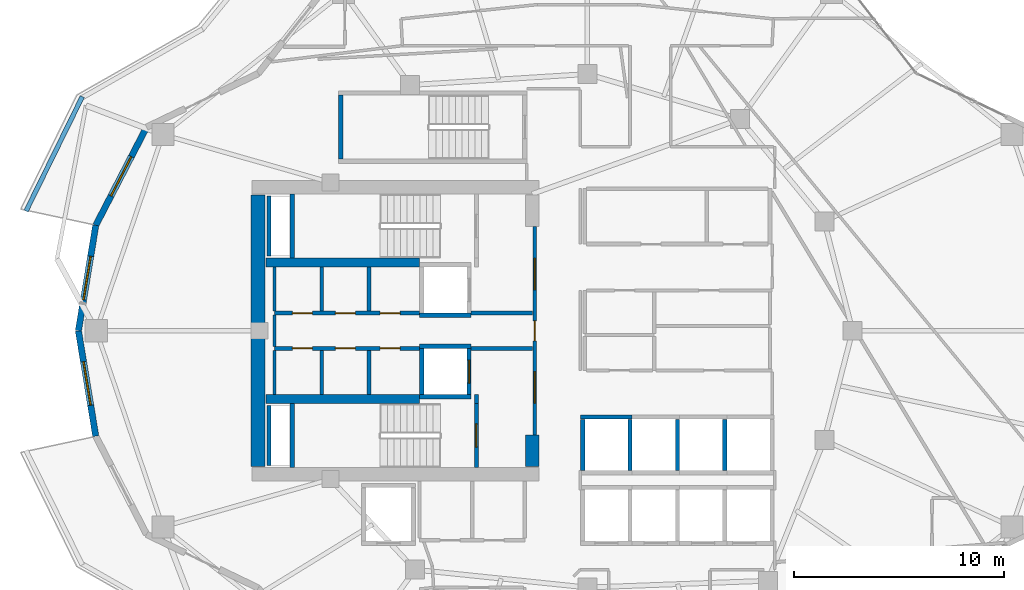
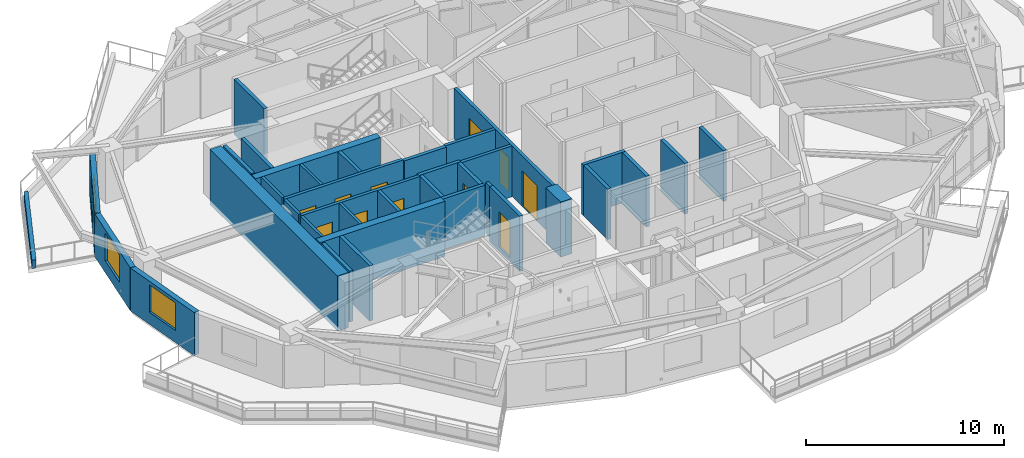
# One storey, part 7 of 18: 37 walls, 11 doors, 3 windows, 14 openings.
"""IFC4 building model written with IfcOpenShell, lengths in metres."""

import ifcopenshell
import ifcopenshell.guid

model = None  # the IFC model being written
_history = None  # IfcOwnerHistory: only IFC2X3 demands one
_inside = {}  # id of a spatial element -> (the spatial element, [elements in it])
_under = {}  # id of a project, library or spatial element -> (it, [spatial elements below it])
_declared = {}  # id of a project -> (the project, [libraries it declares])
_typed = {}  # id of a type object -> (the type object, [elements of that type])
_made_of = {}  # id of a material, layer set ... -> (it, [elements and type objects made of it])


def new_model(schema):
    """Start an empty IFC model of exactly this schema.

    Asked for "IFC4X3", IfcOpenShell would pick the latest addendum, in which some entities
    have other attributes; the version numbers below select the first issue.
    IFC2X3 requires an IfcOwnerHistory on every rooted entity: one is made here for all.
    """
    global model, _history
    if schema == "IFC4X3":
        model = ifcopenshell.file(schema_version=(4, 3, 0, 0))
    else:
        model = ifcopenshell.file(schema=schema)
    _inside.clear()
    _under.clear()
    _declared.clear()
    _typed.clear()
    _made_of.clear()
    _history = None
    if model.schema == "IFC2X3":
        org = make("IfcOrganization", Name="unknown")
        user = make(
            "IfcPersonAndOrganization",
            ThePerson=make("IfcPerson", FamilyName="unknown"),
            TheOrganization=org,
        )
        app = make(
            "IfcApplication",
            ApplicationDeveloper=org,
            Version="unknown",
            ApplicationFullName="unknown",
            ApplicationIdentifier="unknown",
        )
        _history = make(
            "IfcOwnerHistory",
            OwningUser=user,
            OwningApplication=app,
            ChangeAction="ADDED",
            CreationDate=0,
        )
    return model


def make(cls, **values):
    """One entity of the class cls with the attributes given. An attribute that is None is left unset."""
    return model.create_entity(
        cls, **{name: value for name, value in values.items() if value is not None}
    )


def rooted(cls, **values):
    """An entity with a GlobalId (a new one), such as an element, a storey or a relation."""
    return make(cls, GlobalId=ifcopenshell.guid.new(), OwnerHistory=_history, **values)


def si_unit(unit_type, name, prefix=None):
    """IfcSIUnit, for example si_unit("LENGTHUNIT", "METRE", prefix="MILLI")."""
    return make("IfcSIUnit", UnitType=unit_type, Prefix=prefix, Name=name)


def assignment(units):
    """IfcUnitAssignment: the units of a project."""
    return None if units is None else make("IfcUnitAssignment", Units=units)


def point(xyz):
    """IfcCartesianPoint."""
    return None if xyz is None else make("IfcCartesianPoint", Coordinates=xyz)


def direction(xyz):
    """IfcDirection."""
    return None if xyz is None else make("IfcDirection", DirectionRatios=xyz)


def frame(location, z_axis=None, x_axis=None):
    """IfcAxis2Placement3D, a coordinate frame: its origin and axes. An axis left out is left unset."""
    return make(
        "IfcAxis2Placement3D",
        Location=point(location),
        Axis=direction(z_axis),
        RefDirection=direction(x_axis),
    )


def frame_2d(location, x_axis=None):
    """IfcAxis2Placement2D, a coordinate frame in the plane: its origin and x axis."""
    return make(
        "IfcAxis2Placement2D", Location=point(location), RefDirection=direction(x_axis)
    )


def origin():
    """The frame at (0, 0, 0) with its axes left unset."""
    return frame((0.0, 0.0, 0.0))


def place(relative_to, where):
    """IfcLocalPlacement: puts the frame where relative to a parent placement (None: the world)."""
    return make(
        "IfcLocalPlacement", PlacementRelTo=relative_to, RelativePlacement=where
    )


def context(
    kind, dimensions, precision=None, world=None, true_north=None, identifier=None
):
    """IfcGeometricRepresentationContext, for example the 3D "Model" context."""
    return make(
        "IfcGeometricRepresentationContext",
        ContextIdentifier=identifier,
        ContextType=kind,
        CoordinateSpaceDimension=dimensions,
        Precision=precision,
        WorldCoordinateSystem=world,
        TrueNorth=true_north,
    )


def subcontext(parent, identifier, kind, view, scale=None):
    """IfcGeometricRepresentationSubContext, for example "Body" below "Model"."""
    return make(
        "IfcGeometricRepresentationSubContext",
        ContextIdentifier=identifier,
        ContextType=kind,
        ParentContext=parent,
        TargetScale=scale,
        TargetView=view,
    )


def project(units=None, contexts=None):
    """IfcProject with its units and contexts."""
    return rooted(
        "IfcProject",
        Name="project",
        RepresentationContexts=contexts,
        UnitsInContext=assignment(units),
    )


def spatial(cls, under=None, at=None, **own):
    """A site, building, storey or space (cls), placed at a placement, below another one or the project."""
    s = rooted(cls, ObjectPlacement=at, **own)
    if under is not None:
        _under.setdefault(under.id(), (under, []))[1].append(s)
    return s


def profile(cls, at=None, kind="AREA", **sizes):
    """A parametric profile (cls). Its sizes go by their IFC names, for example OverallWidth=200.0."""
    return make(cls, ProfileType=kind, Position=at, **sizes)


def rectangle(**sizes):
    """IfcRectangleProfileDef."""
    return profile("IfcRectangleProfileDef", **sizes)


def extrude(swept, where, along, depth):
    """IfcExtrudedAreaSolid: the profile swept, set in the frame where, extruded along a direction by depth."""
    return make(
        "IfcExtrudedAreaSolid",
        SweptArea=swept,
        Position=where,
        ExtrudedDirection=direction(along),
        Depth=depth,
    )


def shape(context_of_items, identifier, shape_type, items):
    """IfcShapeRepresentation: the items that make up one representation, for example the "Body"."""
    return make(
        "IfcShapeRepresentation",
        ContextOfItems=context_of_items,
        RepresentationIdentifier=identifier,
        RepresentationType=shape_type,
        Items=items,
    )


def material(Name=None, Category=None):
    """IfcMaterial."""
    return make("IfcMaterial", Name=Name, Category=Category)


def layer(
    of_material, thickness, ventilated=None, Name=None, Category=None, Priority=None
):
    """IfcMaterialLayer: one layer of a wall or slab, of a material (None: an air gap)."""
    return make(
        "IfcMaterialLayer",
        Material=of_material,
        LayerThickness=thickness,
        IsVentilated=ventilated,
        Name=Name,
        Category=Category,
        Priority=Priority,
    )


def layer_set(layers, Name=None):
    """IfcMaterialLayerSet."""
    return make("IfcMaterialLayerSet", MaterialLayers=layers, LayerSetName=Name)


def made_of(thing, what):
    """Note that an element or type object is made of a material, layer set ...; save() writes the relation."""
    if what is not None:
        _made_of.setdefault(what.id(), (what, []))[1].append(thing)
    return thing


def type_object(cls, material=None, **own):
    """A type object (cls), such as IfcWallType, which elements share."""
    return made_of(rooted(cls, **own), material)


def element(
    cls,
    number,
    at=None,
    inside=None,
    cuts=None,
    type_object=None,
    material=None,
    context=None,
    identifier="Body",
    shape_type=None,
    held_by="IfcProductDefinitionShape",
    body=None,
    shapes=None,
    **own,
):
    """One element of the class cls, such as IfcWall. Its Tag is "e" and its number.

    at: its placement. inside: the storey or other place that contains it. cuts: it is an
    opening in that element (IfcRelVoidsElement). A single representation is given by context,
    identifier, shape_type and body (its items); several are given by shapes. held_by: the class
    of the entity that holds the representations. save() writes the other relations.
    """
    e = rooted(cls, Tag="e%d" % number, ObjectPlacement=at, **own)
    if body is not None:
        shapes = [shape(context, identifier, shape_type, body)]
    if shapes is not None:
        e.Representation = make(held_by, Representations=shapes)
    if inside is not None:
        _inside.setdefault(inside.id(), (inside, []))[1].append(e)
    if cuts is not None:
        rooted(
            "IfcRelVoidsElement", RelatingBuildingElement=cuts, RelatedOpeningElement=e
        )
    if type_object is not None:
        _typed.setdefault(type_object.id(), (type_object, []))[1].append(e)
    return made_of(e, material)


def fill(opening, filler):
    """IfcRelFillsElement: the door or window that sits in an opening."""
    return rooted(
        "IfcRelFillsElement",
        RelatingOpeningElement=opening,
        RelatedBuildingElement=filler,
    )


def aggregate(whole, parts):
    """IfcRelAggregates: a whole, such as a stair, and the parts it consists of."""
    return rooted("IfcRelAggregates", RelatingObject=whole, RelatedObjects=parts)


def save(model, path):
    """Write the relations noted so far, then the file.

    IfcRelAggregates (storeys below a building ...), IfcRelContainedInSpatialStructure (elements
    in a storey), IfcRelDefinesByType, IfcRelAssociatesMaterial and IfcRelDeclares: one each for
    every whole, place, type object, material and project.
    """
    for whole, parts in _under.values():
        aggregate(whole, parts)
    for where, things in _inside.values():
        rooted(
            "IfcRelContainedInSpatialStructure",
            RelatedElements=things,
            RelatingStructure=where,
        )
    for kind, things in _typed.values():
        rooted("IfcRelDefinesByType", RelatedObjects=things, RelatingType=kind)
    for what, things in _made_of.values():
        rooted("IfcRelAssociatesMaterial", RelatedObjects=things, RelatingMaterial=what)
    for by, libraries in _declared.values():
        rooted("IfcRelDeclares", RelatingContext=by, RelatedDefinitions=libraries)
    model.write(path)


model = new_model("IFC4")

# Units and contexts
model_context = context("Model", 3, precision=1e-05, world=origin(), true_north=direction((0.0, 1.0)))
body_context = subcontext(model_context, "Body", "Model", "MODEL_VIEW")
ifc_project = project(units=[si_unit("LENGTHUNIT", "METRE"), si_unit("AREAUNIT", "SQUARE_METRE"), si_unit("VOLUMEUNIT", "CUBIC_METRE"), si_unit("PLANEANGLEUNIT", "RADIAN"), si_unit("MASSUNIT", "GRAM", prefix="KILO")], contexts=[model_context])

# Site, building, storey
site_placement = place(None, origin())
site = spatial("IfcSite", under=ifc_project, at=site_placement, CompositionType="ELEMENT")
building_placement = place(site_placement, origin())
building = spatial("IfcBuilding", under=site, at=building_placement, Name="Kolvaren Gate Tower and Convention Centre", CompositionType="ELEMENT")
storey_placement = place(building_placement, frame((0.0, 0.0, 135.89990234375)))
storey = spatial("IfcBuildingStorey", under=building, at=storey_placement, Name="L34", CompositionType="ELEMENT", Elevation=135.89990234375)

# Wall
ifc_material_1 = material(Name="Autoclaved Aerated Masonry Blockwork Class 4 (4.0 MPa)", Category="masonry")
ifc_layer_1 = layer(ifc_material_1, 0.179931640625)
ifc_layer_set_1 = layer_set([ifc_layer_1], Name="Autoclaved Aerated Masonry Blockwork Class 4 (4.0 MPa)")
wall_type_1 = type_object("IfcWallType", Name="ARCH-WL-COMP-180", PredefinedType="SOLIDWALL", material=ifc_layer_set_1)
wall_1_placement = place(storey_placement, frame((24.85009765625, 23.5400390625, 0.0), z_axis=(0.0, 0.0, 1.0), x_axis=(0.0, 1.0, 0.0)))
element("IfcWall", 1, at=wall_1_placement, inside=storey, type_object=wall_type_1, Name="Interior Partition WL-L34-INT-001", PredefinedType="SOLIDWALL", context=body_context, shape_type="SweptSolid", body=[
    extrude(rectangle(XDim=0.419921875, YDim=0.179931640625, at=frame_2d((0.2099609375, 0.0))), origin(), (0.0, 0.0, 1.0), 3.130126953125),
])

# Wall, openings, doors
wall_2_placement = place(storey_placement, frame((27.6201171875, 22.050048828125, 0.0), z_axis=(0.0, 0.0, 1.0), x_axis=(0.0, 1.0, 0.0)))
wall_2 = element("IfcWall", 2, at=wall_2_placement, inside=storey, type_object=wall_type_1, Name="Interior Partition WL-L34-INT-003", PredefinedType="SOLIDWALL", context=body_context, shape_type="SweptSolid", body=[
    extrude(rectangle(XDim=9.89990234375, YDim=0.179931640625, at=frame_2d((4.949951171875, 0.0))), origin(), (0.0, 0.0, 1.0), 3.130126953125),
])
opening_1_placement = place(wall_2_placement, frame((4.47509765625, 0.0, 0.0)))
opening_1 = element("IfcOpeningElement", 3, at=opening_1_placement, cuts=wall_2, Name="Opening DR-01", PredefinedType="OPENING", context=body_context, shape_type="SweptSolid", body=[
    extrude(rectangle(XDim=0.949951171875, YDim=2.10009765625, at=frame_2d((0.47509765625, 1.050048828125))), frame((0.0, 0.099853515625, 0.0), z_axis=(0.0, -1.0, 0.0), x_axis=(1.0, 0.0, 0.0)), (0.0, 0.0, 1.0), 0.199951171875),
])
opening_2_placement = place(wall_2_placement, frame((6.889892578125, 0.0, 0.0)))
opening_2 = element("IfcOpeningElement", 4, at=opening_2_placement, cuts=wall_2, Name="Opening DL-01", PredefinedType="OPENING", context=body_context, shape_type="SweptSolid", body=[
    extrude(rectangle(XDim=1.5, YDim=2.199951171875, at=frame_2d((0.75, 1.10009765625))), frame((0.0, 0.099853515625, 0.0), z_axis=(0.0, -1.0, 0.0), x_axis=(1.0, 0.0, 0.0)), (0.0, 0.0, 1.0), 0.199951171875),
])
opening_3_placement = place(wall_2_placement, frame((1.510009765625, 0.0, 0.0)))
opening_3 = element("IfcOpeningElement", 5, at=opening_3_placement, cuts=wall_2, Name="Opening DL-01", PredefinedType="OPENING", context=body_context, shape_type="SweptSolid", body=[
    extrude(rectangle(XDim=1.5, YDim=2.199951171875, at=frame_2d((0.75, 1.10009765625))), frame((0.0, 0.099853515625, 0.0), z_axis=(0.0, -1.0, 0.0), x_axis=(1.0, 0.0, 0.0)), (0.0, 0.0, 1.0), 0.199951171875),
])
ifc_material_2 = material(Name="Painted Architectural Steelwork ASTM A500 Grade C 345 MPa", Category="steel")
door_type_1 = type_object("IfcDoorType", Name="ARCH-DR-LOBBY-1500", OperationType="DOUBLE_DOOR_SINGLE_SWING", PredefinedType="DOOR", material=ifc_material_2)
door_1_placement = place(opening_2_placement, origin())
door_1 = element("IfcDoor", 6, at=door_1_placement, inside=storey, type_object=door_type_1, Name="North Firefighting Stair and Lift Lobby Door", OperationType="DOUBLE_DOOR_SINGLE_SWING", OverallHeight=2.199951171875, OverallWidth=1.5, PredefinedType="DOOR", context=body_context, shape_type="SweptSolid", body=[
    extrude(rectangle(XDim=1.5, YDim=2.199951171875, at=frame_2d((0.75, 1.10009765625))), frame((0.0, 0.02490234375, 0.0), z_axis=(0.0, -1.0, 0.0), x_axis=(1.0, 0.0, 0.0)), (0.0, 0.0, 1.0), 0.050048828125),
])
fill(opening_2, door_1)
door_2_placement = place(opening_3_placement, origin())
door_2 = element("IfcDoor", 7, at=door_2_placement, inside=storey, type_object=door_type_1, Name="South Firefighting Stair and Lift Lobby Door", OperationType="DOUBLE_DOOR_SINGLE_SWING", OverallHeight=2.199951171875, OverallWidth=1.5, PredefinedType="DOOR", context=body_context, shape_type="SweptSolid", body=[
    extrude(rectangle(XDim=1.5, YDim=2.199951171875, at=frame_2d((0.75, 1.10009765625))), frame((0.0, 0.02490234375, 0.0), z_axis=(0.0, -1.0, 0.0), x_axis=(1.0, 0.0, 0.0)), (0.0, 0.0, 1.0), 0.050048828125),
])
fill(opening_3, door_2)
door_type_2 = type_object("IfcDoorType", Name="ARCH-DR-RISER-950", OperationType="SINGLE_SWING_RIGHT", PredefinedType="DOOR", material=ifc_material_2)
door_3_placement = place(opening_1_placement, origin())
door_3 = element("IfcDoor", 8, at=door_3_placement, inside=storey, type_object=door_type_2, Name="Central MEP Service Corridor Door", OperationType="SINGLE_SWING_LEFT", OverallHeight=2.10009765625, OverallWidth=0.949951171875, PredefinedType="DOOR", context=body_context, shape_type="SweptSolid", body=[
    extrude(rectangle(XDim=0.949951171875, YDim=2.10009765625, at=frame_2d((0.47509765625, 1.050048828125))), frame((0.0, 0.02490234375, 0.0), z_axis=(0.0, -1.0, 0.0), x_axis=(1.0, 0.0, 0.0)), (0.0, 0.0, 1.0), 0.050048828125),
])
fill(opening_1, door_3)

wall_3_placement = place(storey_placement, frame((15.25, 27.840087890625, 0.0), z_axis=(0.0, 0.0, 1.0), x_axis=(1.0, 0.0, 0.0)))
wall_3 = element("IfcWall", 9, at=wall_3_placement, inside=storey, type_object=wall_type_1, Name="Interior Partition WL-L34-INT-004", PredefinedType="SOLIDWALL", context=body_context, shape_type="SweptSolid", body=[
    extrude(rectangle(XDim=6.89990234375, YDim=0.179931640625, at=frame_2d((3.449951171875, 0.0))), origin(), (0.0, 0.0, 1.0), 3.130126953125),
])
opening_4_placement = place(wall_3_placement, frame((5.02001953125, 0.0, 0.0)))
opening_4 = element("IfcOpeningElement", 10, at=opening_4_placement, cuts=wall_3, Name="Opening DR-01", PredefinedType="OPENING", context=body_context, shape_type="SweptSolid", body=[
    extrude(rectangle(XDim=0.949951171875, YDim=2.10009765625, at=frame_2d((0.47509765625, 1.050048828125))), frame((0.0, 0.099853515625, 0.0), z_axis=(0.0, -1.0, 0.0), x_axis=(1.0, 0.0, 0.0)), (0.0, 0.0, 1.0), 0.199951171875),
])
opening_5_placement = place(wall_3_placement, frame((0.85498046875, 0.0, 0.0)))
opening_5 = element("IfcOpeningElement", 11, at=opening_5_placement, cuts=wall_3, Name="Opening DR-01", PredefinedType="OPENING", context=body_context, shape_type="SweptSolid", body=[
    extrude(rectangle(XDim=0.949951171875, YDim=2.10009765625, at=frame_2d((0.47509765625, 1.050048828125))), frame((0.0, 0.099853515625, 0.0), z_axis=(0.0, -1.0, 0.0), x_axis=(1.0, 0.0, 0.0)), (0.0, 0.0, 1.0), 0.199951171875),
])
opening_6_placement = place(wall_3_placement, frame((2.89990234375, 0.0, 0.0)))
opening_6 = element("IfcOpeningElement", 12, at=opening_6_placement, cuts=wall_3, Name="Opening DR-01", PredefinedType="OPENING", context=body_context, shape_type="SweptSolid", body=[
    extrude(rectangle(XDim=0.949951171875, YDim=2.10009765625, at=frame_2d((0.47509765625, 1.050048828125))), frame((0.0, 0.099853515625, 0.0), z_axis=(0.0, -1.0, 0.0), x_axis=(1.0, 0.0, 0.0)), (0.0, 0.0, 1.0), 0.199951171875),
])
door_4_placement = place(opening_4_placement, origin())
door_4 = element("IfcDoor", 13, at=door_4_placement, inside=storey, type_object=door_type_2, Name="Electrical Switchgear Closet Door", OperationType="SINGLE_SWING_RIGHT", OverallHeight=2.10009765625, OverallWidth=0.949951171875, PredefinedType="DOOR", context=body_context, shape_type="SweptSolid", body=[
    extrude(rectangle(XDim=0.949951171875, YDim=2.10009765625, at=frame_2d((0.47509765625, 1.050048828125))), frame((0.0, 0.02490234375, 0.0), z_axis=(0.0, -1.0, 0.0), x_axis=(1.0, 0.0, 0.0)), (0.0, 0.0, 1.0), 0.050048828125),
])
fill(opening_4, door_4)
door_5_placement = place(opening_5_placement, origin())
door_5 = element("IfcDoor", 14, at=door_5_placement, inside=storey, type_object=door_type_2, Name="Staff Accessible WC Door", OperationType="SINGLE_SWING_RIGHT", OverallHeight=2.10009765625, OverallWidth=0.949951171875, PredefinedType="DOOR", context=body_context, shape_type="SweptSolid", body=[
    extrude(rectangle(XDim=0.949951171875, YDim=2.10009765625, at=frame_2d((0.47509765625, 1.050048828125))), frame((0.0, 0.02490234375, 0.0), z_axis=(0.0, -1.0, 0.0), x_axis=(1.0, 0.0, 0.0)), (0.0, 0.0, 1.0), 0.050048828125),
])
fill(opening_5, door_5)
door_6_placement = place(opening_6_placement, origin())
door_6 = element("IfcDoor", 15, at=door_6_placement, inside=storey, type_object=door_type_2, Name="Housekeeping Sink Closet Door", OperationType="SINGLE_SWING_LEFT", OverallHeight=2.10009765625, OverallWidth=0.949951171875, PredefinedType="DOOR", context=body_context, shape_type="SweptSolid", body=[
    extrude(rectangle(XDim=0.949951171875, YDim=2.10009765625, at=frame_2d((0.47509765625, 1.050048828125))), frame((0.0, 0.02490234375, 0.0), z_axis=(0.0, -1.0, 0.0), x_axis=(1.0, 0.0, 0.0)), (0.0, 0.0, 1.0), 0.050048828125),
])
fill(opening_6, door_6)

# Wall
wall_4_placement = place(storey_placement, frame((24.60009765625, 27.840087890625, 0.0), z_axis=(0.0, 0.0, 1.0), x_axis=(1.0, 0.0, 0.0)))
element("IfcWall", 16, at=wall_4_placement, inside=storey, type_object=wall_type_1, Name="Interior Partition WL-L34-INT-004 (2)", PredefinedType="SOLIDWALL", context=body_context, shape_type="SweptSolid", body=[
    extrude(rectangle(XDim=2.927978515625, YDim=0.179931640625, at=frame_2d((1.4638671875, 0.0))), origin(), (0.0, 0.0, 1.0), 3.130126953125),
])

# Wall, openings, doors
wall_5_placement = place(storey_placement, frame((15.25, 26.159912109375, 0.0), z_axis=(0.0, 0.0, 1.0), x_axis=(1.0, 0.0, 0.0)))
wall_5 = element("IfcWall", 17, at=wall_5_placement, inside=storey, type_object=wall_type_1, Name="Interior Partition WL-L34-INT-005", PredefinedType="SOLIDWALL", context=body_context, shape_type="SweptSolid", body=[
    extrude(rectangle(XDim=6.89990234375, YDim=0.179931640625, at=frame_2d((3.449951171875, 0.0))), origin(), (0.0, 0.0, 1.0), 3.130126953125),
])
opening_7_placement = place(wall_5_placement, frame((5.02001953125, 0.0, 0.0)))
opening_7 = element("IfcOpeningElement", 18, at=opening_7_placement, cuts=wall_5, Name="Opening DR-01", PredefinedType="OPENING", context=body_context, shape_type="SweptSolid", body=[
    extrude(rectangle(XDim=0.949951171875, YDim=2.10009765625, at=frame_2d((0.47509765625, 1.050048828125))), frame((0.0, 0.099853515625, 0.0), z_axis=(0.0, -1.0, 0.0), x_axis=(1.0, 0.0, 0.0)), (0.0, 0.0, 1.0), 0.199951171875),
])
opening_8_placement = place(wall_5_placement, frame((0.85498046875, 0.0, 0.0)))
opening_8 = element("IfcOpeningElement", 19, at=opening_8_placement, cuts=wall_5, Name="Opening DR-01", PredefinedType="OPENING", context=body_context, shape_type="SweptSolid", body=[
    extrude(rectangle(XDim=0.949951171875, YDim=2.10009765625, at=frame_2d((0.47509765625, 1.050048828125))), frame((0.0, 0.099853515625, 0.0), z_axis=(0.0, -1.0, 0.0), x_axis=(1.0, 0.0, 0.0)), (0.0, 0.0, 1.0), 0.199951171875),
])
opening_9_placement = place(wall_5_placement, frame((2.89990234375, 0.0, 0.0)))
opening_9 = element("IfcOpeningElement", 20, at=opening_9_placement, cuts=wall_5, Name="Opening DR-01", PredefinedType="OPENING", context=body_context, shape_type="SweptSolid", body=[
    extrude(rectangle(XDim=0.949951171875, YDim=2.10009765625, at=frame_2d((0.47509765625, 1.050048828125))), frame((0.0, 0.099853515625, 0.0), z_axis=(0.0, -1.0, 0.0), x_axis=(1.0, 0.0, 0.0)), (0.0, 0.0, 1.0), 0.199951171875),
])
door_7_placement = place(opening_7_placement, origin())
door_7 = element("IfcDoor", 21, at=door_7_placement, inside=storey, type_object=door_type_2, Name="Domestic Water Meter Closet Door", OperationType="SINGLE_SWING_LEFT", OverallHeight=2.10009765625, OverallWidth=0.949951171875, PredefinedType="DOOR", context=body_context, shape_type="SweptSolid", body=[
    extrude(rectangle(XDim=0.949951171875, YDim=2.10009765625, at=frame_2d((0.47509765625, 1.050048828125))), frame((0.0, 0.02490234375, 0.0), z_axis=(0.0, -1.0, 0.0), x_axis=(1.0, 0.0, 0.0)), (0.0, 0.0, 1.0), 0.050048828125),
])
fill(opening_7, door_7)
door_8_placement = place(opening_8_placement, origin())
door_8 = element("IfcDoor", 22, at=door_8_placement, inside=storey, type_object=door_type_2, Name="Beverage Service Pantry Door", OperationType="SINGLE_SWING_RIGHT", OverallHeight=2.10009765625, OverallWidth=0.949951171875, PredefinedType="DOOR", context=body_context, shape_type="SweptSolid", body=[
    extrude(rectangle(XDim=0.949951171875, YDim=2.10009765625, at=frame_2d((0.47509765625, 1.050048828125))), frame((0.0, 0.02490234375, 0.0), z_axis=(0.0, -1.0, 0.0), x_axis=(1.0, 0.0, 0.0)), (0.0, 0.0, 1.0), 0.050048828125),
])
fill(opening_8, door_8)
door_9_placement = place(opening_9_placement, origin())
door_9 = element("IfcDoor", 23, at=door_9_placement, inside=storey, type_object=door_type_2, Name="Archive Supply Closet Door", OperationType="SINGLE_SWING_LEFT", OverallHeight=2.10009765625, OverallWidth=0.949951171875, PredefinedType="DOOR", context=body_context, shape_type="SweptSolid", body=[
    extrude(rectangle(XDim=0.949951171875, YDim=2.10009765625, at=frame_2d((0.47509765625, 1.050048828125))), frame((0.0, 0.02490234375, 0.0), z_axis=(0.0, -1.0, 0.0), x_axis=(1.0, 0.0, 0.0)), (0.0, 0.0, 1.0), 0.050048828125),
])
fill(opening_9, door_9)

# Walls
wall_6_placement = place(storey_placement, frame((24.60009765625, 26.159912109375, 0.0), z_axis=(0.0, 0.0, 1.0), x_axis=(1.0, 0.0, 0.0)))
element("IfcWall", 24, at=wall_6_placement, inside=storey, type_object=wall_type_1, Name="Interior Partition WL-L34-INT-005 (2)", PredefinedType="SOLIDWALL", context=body_context, shape_type="SweptSolid", body=[
    extrude(rectangle(XDim=2.927978515625, YDim=0.179931640625, at=frame_2d((1.4638671875, 0.0))), origin(), (0.0, 0.0, 1.0), 3.130126953125),
])
for number, where, z_axis, x_axis, name in (
    (25, (19.75, 23.9619140625, 0.0), (0.0, 0.0, 1.0), (0.0, 1.0, 0.0), "Interior Partition WL-L34-INT-007"),
    (26, (19.75, 27.931884765625, 0.0), (0.0, 0.0, 1.0), (0.0, 1.0, 0.0), "Interior Partition WL-L34-INT-008"),
):
    element("IfcWall", number, at=place(storey_placement, frame(where, z_axis=z_axis, x_axis=x_axis)), inside=storey, type_object=wall_type_1, Name=name, PredefinedType="SOLIDWALL", context=body_context, shape_type="SweptSolid", body=[
        extrude(rectangle(XDim=2.106201171875, YDim=0.179931640625, at=frame_2d((1.05322265625, 0.0))), origin(), (0.0, 0.0, 1.0), 3.130126953125),
    ])
ifc_material_3 = material(Name="Piedmont Cream Honed Limestone Cladding", Category="masonry")
ifc_layer_2 = layer(ifc_material_3, 0.219970703125)
ifc_layer_set_2 = layer_set([ifc_layer_2], Name="Piedmont Cream Honed Limestone Cladding")
wall_type_2 = type_object("IfcWallType", Name="ARCH-WL-PLANTER-220", PredefinedType="PARAPET", material=ifc_layer_set_2)
wall_7_placement = place(storey_placement, frame((3.44873046875, 32.68701171875, 0.0), z_axis=(0.0, 0.0, 1.0), x_axis=(0.441269631716, 0.897374566235, 0.0)))
element("IfcWall", 27, at=wall_7_placement, inside=storey, type_object=wall_type_2, Name="Vertical-Forest Balcony Stone Planter Kerb PK-L34-1.3", PredefinedType="PARAPET", context=body_context, shape_type="SweptSolid", body=[
    extrude(rectangle(XDim=6.05615234375, YDim=0.219970703125, at=frame_2d((3.028076171875, 0.0))), origin(), (0.0, 0.0, 1.0), 0.52001953125),
])
ifc_layer_3 = layer(ifc_material_1, 0.199951171875)
ifc_layer_set_3 = layer_set([ifc_layer_3], Name="Autoclaved Aerated Masonry Blockwork Class 4 (4.0 MPa)")
wall_type_3 = type_object("IfcWallType", Name="ARCH-WL-SHAFT-200", PredefinedType="SOLIDWALL", material=ifc_layer_set_3)
for number, where, z_axis, x_axis, name in (
    (28, (22.14990234375, 27.739990234375, 0.0), (0.0, 0.0, 1.0), (1.0, 0.0, 0.0), "Elevator FF-01 L34 Fire Shaft Wall S"),
    (29, (22.14990234375, 26.260009765625, 0.0), (0.0, 0.0, 1.0), (1.0, 0.0, 0.0), "Elevator FF-02 L34 Fire Shaft Wall N"),
    (30, (22.14990234375, 23.860107421875, 0.0), (0.0, 0.0, 1.0), (1.0, 0.0, 0.0), "Elevator FF-02 L34 Fire Shaft Wall S"),
):
    element("IfcWall", number, at=place(storey_placement, frame(where, z_axis=z_axis, x_axis=x_axis)), inside=storey, type_object=wall_type_3, Name=name, PredefinedType="SOLIDWALL", context=body_context, shape_type="SweptSolid", body=[
        extrude(rectangle(XDim=2.4501953125, YDim=0.199951171875, at=frame_2d((1.22509765625, 0.0))), origin(), (0.0, 0.0, 1.0), 3.130126953125),
    ])
wall_8_placement = place(storey_placement, frame((22.25, 23.969970703125, 0.0), z_axis=(0.0, 0.0, 1.0), x_axis=(0.0, 1.0, 0.0)))
element("IfcWall", 31, at=wall_8_placement, inside=storey, type_object=wall_type_3, Name="Elevator FF-02 L34 Fire Shaft Wall W", PredefinedType="SOLIDWALL", context=body_context, shape_type="SweptSolid", body=[
    extrude(rectangle(XDim=2.179931640625, YDim=0.199951171875, at=frame_2d((1.08984375, 0.0))), origin(), (0.0, 0.0, 1.0), 3.130126953125),
])

# Wall, opening, door
wall_9_placement = place(storey_placement, frame((24.5, 23.969970703125, 0.0), z_axis=(0.0, 0.0, 1.0), x_axis=(0.0, 1.0, 0.0)))
wall_9 = element("IfcWall", 32, at=wall_9_placement, inside=storey, type_object=wall_type_3, Name="Elevator FF-02 L34 Fire Shaft Wall E", PredefinedType="SOLIDWALL", context=body_context, shape_type="SweptSolid", body=[
    extrude(rectangle(XDim=2.179931640625, YDim=0.199951171875, at=frame_2d((1.08984375, 0.0))), origin(), (0.0, 0.0, 1.0), 3.130126953125),
])
opening_10_placement = place(wall_9_placement, frame((0.5400390625, 0.0, 0.0)))
opening_10 = element("IfcOpeningElement", 33, at=opening_10_placement, cuts=wall_9, Name="Opening LD", PredefinedType="OPENING", context=body_context, shape_type="SweptSolid", body=[
    extrude(rectangle(XDim=1.10009765625, YDim=2.199951171875, at=frame_2d((0.550048828125, 1.10009765625))), frame((0.0, 0.10986328125, 0.0), z_axis=(0.0, -1.0, 0.0), x_axis=(1.0, 0.0, 0.0)), (0.0, 0.0, 1.0), 0.219970703125),
])
ifc_material_4 = material(Name="Brushed Stainless Steel Grade 316L", Category="steel")
door_type_3 = type_object("IfcDoorType", Name="ARCH-DR-LIFT-1100", OperationType="SLIDING_TO_LEFT", PredefinedType="DOOR", material=ifc_material_4)
door_10_placement = place(opening_10_placement, origin())
door_10 = element("IfcDoor", 34, at=door_10_placement, inside=storey, type_object=door_type_3, Name="Elevator FF-02 L34 Sliding Landing Door", OperationType="SLIDING_TO_LEFT", OverallHeight=2.199951171875, OverallWidth=1.10009765625, PredefinedType="DOOR", context=body_context, shape_type="SweptSolid", body=[
    extrude(rectangle(XDim=1.10009765625, YDim=2.199951171875, at=frame_2d((0.550048828125, 1.10009765625))), frame((0.0, 0.02490234375, 0.0), z_axis=(0.0, -1.0, 0.0), x_axis=(1.0, 0.0, 0.0)), (0.0, 0.0, 1.0), 0.050048828125),
])
fill(opening_10, door_10)

# Walls
wall_10_placement = place(storey_placement, frame((29.800048828125, 22.89990234375, 0.0), z_axis=(0.0, 0.0, 1.0), x_axis=(1.0, 0.0, 0.0)))
element("IfcWall", 35, at=wall_10_placement, inside=storey, type_object=wall_type_3, Name="Elevator PL-09 L34 Fire Shaft Wall N", PredefinedType="SOLIDWALL", context=body_context, shape_type="SweptSolid", body=[
    extrude(rectangle(XDim=2.449951171875, YDim=0.199951171875, at=frame_2d((1.22509765625, 0.0))), origin(), (0.0, 0.0, 1.0), 3.130126953125),
])
for number, where, z_axis, x_axis, name in (
    (36, (29.89990234375, 20.360107421875, 0.0), (0.0, 0.0, 1.0), (0.0, 1.0, 0.0), "Elevator PL-09 L34 Fire Shaft Wall W"),
    (37, (32.14990234375, 20.360107421875, 0.0), (0.0, 0.0, 1.0), (0.0, 1.0, 0.0), "Elevator PL-09 L34 Fire Shaft Wall E"),
    (38, (34.39990234375, 20.360107421875, 0.0), (0.0, 0.0, 1.0), (0.0, 1.0, 0.0), "Elevator PL-10 L34 Fire Shaft Wall E"),
    (39, (36.64990234375, 20.360107421875, 0.0), (0.0, 0.0, 1.0), (0.0, 1.0, 0.0), "Elevator PL-11 L34 Fire Shaft Wall E"),
):
    element("IfcWall", number, at=place(storey_placement, frame(where, z_axis=z_axis, x_axis=x_axis)), inside=storey, type_object=wall_type_3, Name=name, PredefinedType="SOLIDWALL", context=body_context, shape_type="SweptSolid", body=[
        extrude(rectangle(XDim=2.429931640625, YDim=0.199951171875, at=frame_2d((1.21484375, 0.0))), origin(), (0.0, 0.0, 1.0), 3.130126953125),
    ])
for number, where, z_axis, x_axis, name in (
    (40, (14.989990234375, 30.550048828125, 0.0), (0.0, 0.0, 1.0), (0.0, 1.0, 0.0), "Vertical Shaft HVR L34 EI-120 Enclosure Wall W"),
    (41, (14.989990234375, 20.60009765625, 0.0), (0.0, 0.0, 1.0), (0.0, 1.0, 0.0), "Vertical Shaft MPR L34 EI-120 Enclosure Wall W"),
):
    element("IfcWall", number, at=place(storey_placement, frame(where, z_axis=z_axis, x_axis=x_axis)), inside=storey, type_object=wall_type_3, Name=name, PredefinedType="SOLIDWALL", context=body_context, shape_type="SweptSolid", body=[
        extrude(rectangle(XDim=2.849853515625, YDim=0.199951171875, at=frame_2d((1.4248046875, 0.0))), origin(), (0.0, 0.0, 1.0), 3.130126953125),
    ])

# Wall, opening, window
ifc_layer_4 = layer(ifc_material_3, 0.300048828125)
ifc_layer_set_4 = layer_set([ifc_layer_4], Name="Piedmont Cream Honed Limestone Cladding")
wall_type_4 = type_object("IfcWallType", Name="ARCH-WL-STONE-300", PredefinedType="SOLIDWALL", material=ifc_layer_set_4)
wall_11_placement = place(storey_placement, frame((6.76171875, 32.008056640625, 0.0), z_axis=(0.0, 0.0, 1.0), x_axis=(0.459767899643, 0.888039119892, 0.0)))
wall_11 = element("IfcWall", 42, at=wall_11_placement, inside=storey, type_object=wall_type_4, Name="Tower L34 Honed Stone Spandrel Wall EW-10", PredefinedType="SOLIDWALL", context=body_context, shape_type="SweptSolid", body=[
    extrude(rectangle(XDim=5.25537109375, YDim=0.300048828125, at=frame_2d((2.627685546875, 0.0))), origin(), (0.0, 0.0, 1.0), 2.653076171875),
])
opening_11_placement = place(wall_11_placement, frame((1.577880859375, 0.0, 0.739990234375)))
opening_11 = element("IfcOpeningElement", 43, at=opening_11_placement, cuts=wall_11, Name="Opening W-02", PredefinedType="OPENING", context=body_context, shape_type="SweptSolid", body=[
    extrude(rectangle(XDim=2.10009765625, YDim=1.699951171875, at=frame_2d((1.050048828125, 0.85009765625))), frame((0.0, 0.159912109375, 0.0), z_axis=(0.0, -1.0, 0.0), x_axis=(1.0, 0.0, 0.0)), (0.0, 0.0, 1.0), 0.320068359375),
])
ifc_material_5 = material(Name="Low-E Triple Insulated Glazing Unit 44 mm", Category="glass")
window_type = type_object("IfcWindowType", Name="ARCH-WN-HTL-2100", PartitioningType="SINGLE_PANEL", PredefinedType="WINDOW", material=ifc_material_5)
window_1_placement = place(opening_11_placement, origin())
window_1 = element("IfcWindow", 44, at=window_1_placement, inside=storey, type_object=window_type, Name="Tower L34 Punched Stone Facade Window W-10", OverallHeight=1.699951171875, OverallWidth=2.10009765625, PartitioningType="SINGLE_PANEL", PredefinedType="WINDOW", context=body_context, shape_type="SweptSolid", body=[
    extrude(rectangle(XDim=2.10009765625, YDim=1.699951171875, at=frame_2d((1.050048828125, 0.85009765625))), frame((0.0, 0.030029296875, 0.0), z_axis=(0.0, -1.0, 0.0), x_axis=(1.0, 0.0, 0.0)), (0.0, 0.0, 1.0), 0.06005859375),
])
fill(opening_11, window_1)

wall_12_placement = place(storey_placement, frame((5.9375, 27.0, 0.0), z_axis=(0.0, 0.0, 1.0), x_axis=(0.162393944769, 0.986726003864, 0.0)))
wall_12 = element("IfcWall", 45, at=wall_12_placement, inside=storey, type_object=wall_type_4, Name="Tower L34 Honed Stone Spandrel Wall EW-11", PredefinedType="SOLIDWALL", context=body_context, shape_type="SweptSolid", body=[
    extrude(rectangle(XDim=5.075439453125, YDim=0.300048828125, at=frame_2d((2.53759765625, 0.0))), origin(), (0.0, 0.0, 1.0), 2.653076171875),
])
opening_12_placement = place(wall_12_placement, frame((1.488037109375, 0.0, 0.739990234375)))
opening_12 = element("IfcOpeningElement", 46, at=opening_12_placement, cuts=wall_12, Name="Opening W-02", PredefinedType="OPENING", context=body_context, shape_type="SweptSolid", body=[
    extrude(rectangle(XDim=2.10009765625, YDim=1.699951171875, at=frame_2d((1.050048828125, 0.85009765625))), frame((0.0, 0.159912109375, 0.0), z_axis=(0.0, -1.0, 0.0), x_axis=(1.0, 0.0, 0.0)), (0.0, 0.0, 1.0), 0.320068359375),
])
window_2_placement = place(opening_12_placement, origin())
window_2 = element("IfcWindow", 47, at=window_2_placement, inside=storey, type_object=window_type, Name="Tower L34 Punched Stone Facade Window W-11", OverallHeight=1.699951171875, OverallWidth=2.10009765625, PartitioningType="SINGLE_PANEL", PredefinedType="WINDOW", context=body_context, shape_type="SweptSolid", body=[
    extrude(rectangle(XDim=2.10009765625, YDim=1.699951171875, at=frame_2d((1.050048828125, 0.85009765625))), frame((0.0, 0.030029296875, 0.0), z_axis=(0.0, -1.0, 0.0), x_axis=(1.0, 0.0, 0.0)), (0.0, 0.0, 1.0), 0.06005859375),
])
fill(opening_12, window_2)

wall_13_placement = place(storey_placement, frame((5.9375, 27.0, 0.0), z_axis=(0.0, 0.0, 1.0), x_axis=(0.162393944769, -0.986726003864, 0.0)))
wall_13 = element("IfcWall", 48, at=wall_13_placement, inside=storey, type_object=wall_type_4, Name="Tower L34 Honed Stone Spandrel Wall EW-12", PredefinedType="SOLIDWALL", context=body_context, shape_type="SweptSolid", body=[
    extrude(rectangle(XDim=5.075439453125, YDim=0.300048828125, at=frame_2d((2.53759765625, 0.0))), origin(), (0.0, 0.0, 1.0), 2.653076171875),
])
opening_13_placement = place(wall_13_placement, frame((1.488037109375, 0.0, 0.739990234375)))
opening_13 = element("IfcOpeningElement", 49, at=opening_13_placement, cuts=wall_13, Name="Opening W-02", PredefinedType="OPENING", context=body_context, shape_type="SweptSolid", body=[
    extrude(rectangle(XDim=2.10009765625, YDim=1.699951171875, at=frame_2d((1.050048828125, 0.85009765625))), frame((0.0, 0.159912109375, 0.0), z_axis=(0.0, -1.0, 0.0), x_axis=(1.0, 0.0, 0.0)), (0.0, 0.0, 1.0), 0.320068359375),
])
window_3_placement = place(opening_13_placement, origin())
window_3 = element("IfcWindow", 50, at=window_3_placement, inside=storey, type_object=window_type, Name="Tower L34 Punched Stone Facade Window W-12", OverallHeight=1.699951171875, OverallWidth=2.10009765625, PartitioningType="SINGLE_PANEL", PredefinedType="WINDOW", context=body_context, shape_type="SweptSolid", body=[
    extrude(rectangle(XDim=2.10009765625, YDim=1.699951171875, at=frame_2d((1.050048828125, 0.85009765625))), frame((0.0, 0.030029296875, 0.0), z_axis=(0.0, -1.0, 0.0), x_axis=(1.0, 0.0, 0.0)), (0.0, 0.0, 1.0), 0.06005859375),
])
fill(opening_13, window_3)

# Walls
ifc_material_6 = material(Name="Moisture-Resistant Cement-Board Acoustic Partition", Category="gypsum")
ifc_layer_5 = layer(ifc_material_6, 0.14990234375)
ifc_layer_set_5 = layer_set([ifc_layer_5], Name="Moisture-Resistant Cement-Board Acoustic Partition")
wall_type_5 = type_object("IfcWallType", Name="ARCH-WL-WET-150", PredefinedType="PARTITIONING", material=ifc_layer_set_5)
wall_14_placement = place(storey_placement, frame((15.25, 23.9619140625, 0.0), z_axis=(0.0, 0.0, 1.0), x_axis=(0.0, 1.0, 0.0)))
element("IfcWall", 51, at=wall_14_placement, inside=storey, type_object=wall_type_5, Name="Interior Partition WL-L34-INT-006", PredefinedType="PARTITIONING", context=body_context, shape_type="SweptSolid", body=[
    extrude(rectangle(XDim=2.106201171875, YDim=0.14990234375, at=frame_2d((1.05322265625, 0.0))), origin(), (0.0, 0.0, 1.0), 3.130126953125),
])
wall_15_placement = place(storey_placement, frame((15.25, 26.251953125, 0.0), z_axis=(0.0, 0.0, 1.0), x_axis=(0.0, 1.0, 0.0)))
element("IfcWall", 52, at=wall_15_placement, inside=storey, type_object=wall_type_5, Name="Interior Partition WL-L34-INT-006 (2)", PredefinedType="PARTITIONING", context=body_context, shape_type="SweptSolid", body=[
    extrude(rectangle(XDim=1.49609375, YDim=0.14990234375, at=frame_2d((0.748046875, 0.0))), origin(), (0.0, 0.0, 1.0), 3.130126953125),
])
for number, where, z_axis, x_axis, name in (
    (53, (15.25, 27.931884765625, 0.0), (0.0, 0.0, 1.0), (0.0, 1.0, 0.0), "Interior Partition WL-L34-INT-006 (3)"),
    (54, (17.5, 23.9619140625, 0.0), (0.0, 0.0, 1.0), (0.0, 1.0, 0.0), "Interior Partition WL-L34-INT-009"),
    (55, (17.5, 27.931884765625, 0.0), (0.0, 0.0, 1.0), (0.0, 1.0, 0.0), "Interior Partition WL-L34-INT-010"),
):
    element("IfcWall", number, at=place(storey_placement, frame(where, z_axis=z_axis, x_axis=x_axis)), inside=storey, type_object=wall_type_5, Name=name, PredefinedType="PARTITIONING", context=body_context, shape_type="SweptSolid", body=[
        extrude(rectangle(XDim=2.106201171875, YDim=0.14990234375, at=frame_2d((1.05322265625, 0.0))), origin(), (0.0, 0.0, 1.0), 3.130126953125),
    ])
ifc_material_7 = material(Name="Concrete C50/60", Category="concrete")
ifc_layer_6 = layer(ifc_material_7, 0.419921875)
ifc_layer_set_6 = layer_set([ifc_layer_6], Name="Concrete C50/60")
wall_type_6 = type_object("IfcWallType", Name="STR-WL-CONV-420", PredefinedType="SHEAR", material=ifc_layer_set_6)
for number, where, z_axis, x_axis, name in (
    (56, (14.85009765625, 30.25, -0.27001953125), (0.0, 0.0, 1.0), (1.0, 0.0, 0.0), "Tower L34 Offset Core Shear Wall WN"),
    (57, (14.85009765625, 23.75, -0.27001953125), (0.0, 0.0, 1.0), (1.0, 0.0, 0.0), "Tower L34 Offset Core Shear Wall WS"),
):
    element("IfcWall", number, at=place(storey_placement, frame(where, z_axis=z_axis, x_axis=x_axis)), inside=storey, type_object=wall_type_6, Name=name, PredefinedType="SHEAR", context=body_context, shape_type="SweptSolid", body=[
        extrude(rectangle(XDim=7.2998046875, YDim=0.419921875, at=frame_2d((3.64990234375, 0.0))), origin(), (0.0, 0.0, 1.0), 3.400146484375),
    ])
ifc_material_8 = material(Name="Concrete C60/75", Category="concrete")
ifc_layer_7 = layer(ifc_material_8, 0.64990234375)
ifc_layer_set_7 = layer_set([ifc_layer_7], Name="Concrete C60/75")
wall_type_7 = type_object("IfcWallType", Name="STR-WL-CORE-650", PredefinedType="SHEAR", material=ifc_layer_set_7)
wall_16_placement = place(storey_placement, frame((14.47509765625, 20.550048828125, -0.27001953125), z_axis=(0.0, 0.0, 1.0), x_axis=(0.0, 1.0, 0.0)))
element("IfcWall", 58, at=wall_16_placement, inside=storey, type_object=wall_type_7, Name="Tower L34 Offset Core Shear Wall W", PredefinedType="SHEAR", context=body_context, shape_type="SweptSolid", body=[
    extrude(rectangle(XDim=12.89990234375, YDim=0.64990234375, at=frame_2d((6.449951171875, 0.0))), origin(), (0.0, 0.0, 1.0), 3.400146484375),
])
wall_17_placement = place(storey_placement, frame((27.5, 20.550048828125, -0.27001953125), z_axis=(0.0, 0.0, 1.0), x_axis=(0.0, 1.0, 0.0)))
element("IfcWall", 59, at=wall_17_placement, inside=storey, type_object=wall_type_7, Name="Tower L34 Offset Core Shear Wall ES", PredefinedType="SHEAR", context=body_context, shape_type="SweptSolid", body=[
    extrude(rectangle(XDim=1.5, YDim=0.64990234375, at=frame_2d((0.75, 0.0))), origin(), (0.0, 0.0, 1.0), 3.400146484375),
])
ifc_layer_8 = layer(ifc_material_7, 0.199951171875)
ifc_layer_set_8 = layer_set([ifc_layer_8], Name="Concrete C50/60")
wall_type_8 = type_object("IfcWallType", Name="STR-WL-SHAFT-200", PredefinedType="SHEAR", material=ifc_layer_set_8)
wall_18_placement = place(storey_placement, frame((16.10009765625, 30.4619140625, -0.27001953125), z_axis=(0.0, 0.0, 1.0), x_axis=(0.0, 1.0, 0.0)))
element("IfcWall", 60, at=wall_18_placement, inside=storey, type_object=wall_type_8, Name="Tower North Exit Stair ST-T1 L34 Structural Shear Enclosure Wall FAR", PredefinedType="SHEAR", context=body_context, shape_type="SweptSolid", body=[
    extrude(rectangle(XDim=3.0361328125, YDim=0.199951171875, at=frame_2d((1.51806640625, 0.0))), origin(), (0.0, 0.0, 1.0), 3.400146484375),
])

# Wall, opening, door
wall_19_placement = place(storey_placement, frame((24.85009765625, 20.501953125, -0.27001953125), z_axis=(0.0, 0.0, 1.0), x_axis=(0.0, 1.0, 0.0)))
wall_19 = element("IfcWall", 61, at=wall_19_placement, inside=storey, type_object=wall_type_8, Name="Tower South Exit Stair ST-T2 L34 Structural Shear Enclosure Wall NEAR", PredefinedType="SHEAR", context=body_context, shape_type="SweptSolid", body=[
    extrude(rectangle(XDim=3.0380859375, YDim=0.199951171875, at=frame_2d((1.51904296875, 0.0))), origin(), (0.0, 0.0, 1.0), 3.400146484375),
])
opening_14_placement = place(wall_19_placement, frame((0.968994140625, 0.0, 0.27001953125)))
opening_14 = element("IfcOpeningElement", 62, at=opening_14_placement, cuts=wall_19, Name="Opening DS-01", PredefinedType="OPENING", context=body_context, shape_type="SweptSolid", body=[
    extrude(rectangle(XDim=1.10009765625, YDim=2.14990234375, at=frame_2d((0.550048828125, 1.074951171875))), frame((0.0, 0.10986328125, 0.0), z_axis=(0.0, -1.0, 0.0), x_axis=(1.0, 0.0, 0.0)), (0.0, 0.0, 1.0), 0.219970703125),
])
door_type_4 = type_object("IfcDoorType", Name="ARCH-DR-STAIR-1100", OperationType="SINGLE_SWING_LEFT", PredefinedType="DOOR", material=ifc_material_2)
door_11_placement = place(opening_14_placement, origin())
door_11 = element("IfcDoor", 63, at=door_11_placement, inside=storey, type_object=door_type_4, Name="Tower South Exit Stair ST-T2 L34 Fire Exit Stair Door", OperationType="SINGLE_SWING_RIGHT", OverallHeight=2.14990234375, OverallWidth=1.10009765625, PredefinedType="DOOR", context=body_context, shape_type="SweptSolid", body=[
    extrude(rectangle(XDim=1.10009765625, YDim=2.14990234375, at=frame_2d((0.550048828125, 1.074951171875))), frame((0.0, 0.02490234375, 0.0), z_axis=(0.0, -1.0, 0.0), x_axis=(1.0, 0.0, 0.0)), (0.0, 0.0, 1.0), 0.050048828125),
])
fill(opening_14, door_11)

# Walls
wall_20_placement = place(storey_placement, frame((16.10009765625, 20.501953125, -0.27001953125), z_axis=(0.0, 0.0, 1.0), x_axis=(0.0, 1.0, 0.0)))
element("IfcWall", 64, at=wall_20_placement, inside=storey, type_object=wall_type_8, Name="Tower South Exit Stair ST-T2 L34 Structural Shear Enclosure Wall FAR", PredefinedType="SHEAR", context=body_context, shape_type="SweptSolid", body=[
    extrude(rectangle(XDim=3.0361328125, YDim=0.199951171875, at=frame_2d((1.51806640625, 0.0))), origin(), (0.0, 0.0, 1.0), 3.400146484375),
])
wall_21_placement = place(storey_placement, frame((18.39990234375, 35.159912109375, -0.27001953125), z_axis=(0.0, 0.0, 1.0), x_axis=(0.0, 1.0, 0.0)))
element("IfcWall", 65, at=wall_21_placement, inside=storey, type_object=wall_type_8, Name="Tower Mid-Zone Exit Stair ST-T3 L34 Structural Shear Enclosure Wall FAR", PredefinedType="SHEAR", context=body_context, shape_type="SweptSolid", body=[
    extrude(rectangle(XDim=3.0400390625, YDim=0.199951171875, at=frame_2d((1.52001953125, 0.0))), origin(), (0.0, 0.0, 1.0), 3.400146484375),
])

save(model, "model.ifc")
